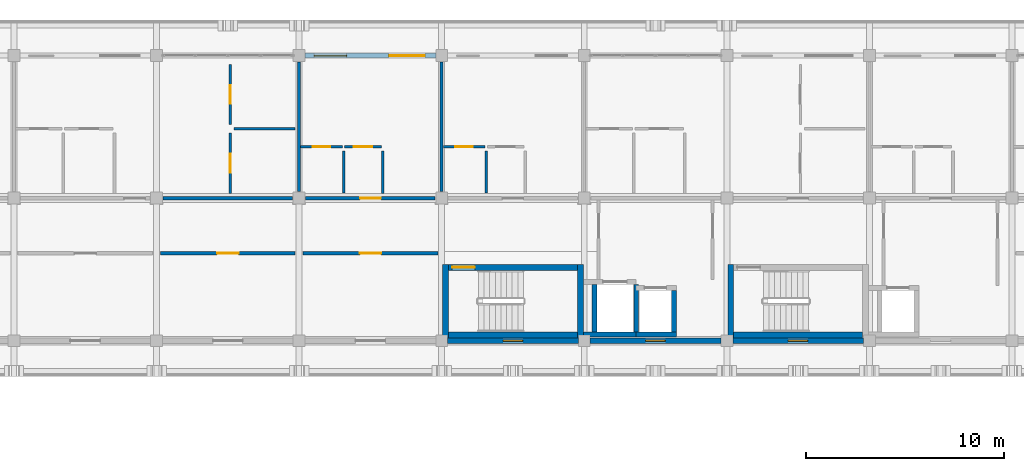
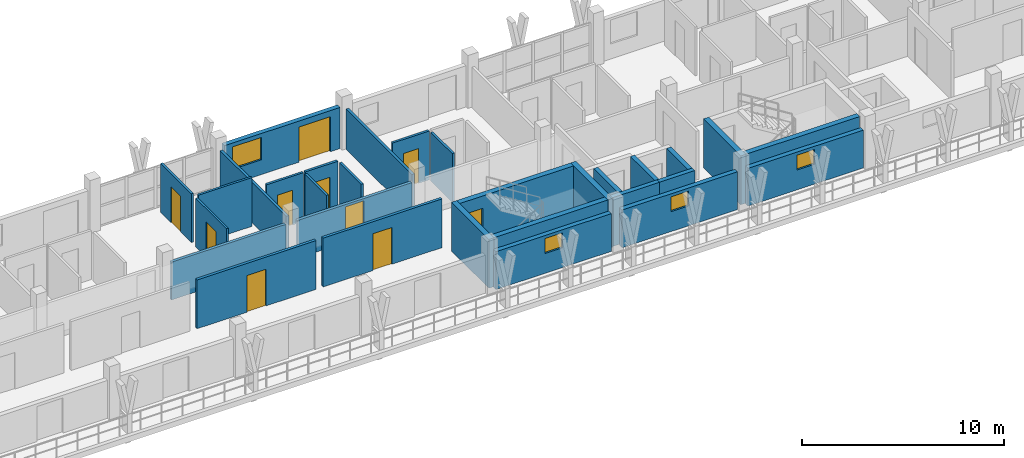
# One storey, part 39 of 65: 30 walls, 10 doors, 4 windows, 14 openings.
"""IFC4 building model written with IfcOpenShell, lengths in metres."""

from ifc_helpers import new_model, si_unit, direction, frame, frame_2d, origin, place, context, subcontext, project, spatial, rectangle, extrude, material, layer, layer_set, type_object, element, fill, save


model = new_model("IFC4")

# Units and contexts
model_context = context("Model", 3, precision=1e-05, world=origin(), true_north=direction((0.0, 1.0)))
body_context = subcontext(model_context, "Body", "Model", "MODEL_VIEW")
ifc_project = project(units=[si_unit("LENGTHUNIT", "METRE"), si_unit("AREAUNIT", "SQUARE_METRE"), si_unit("VOLUMEUNIT", "CUBIC_METRE"), si_unit("PLANEANGLEUNIT", "RADIAN"), si_unit("MASSUNIT", "GRAM", prefix="KILO")], contexts=[model_context])

# Site, building, storey
site_placement = place(None, origin())
site = spatial("IfcSite", under=ifc_project, at=site_placement, CompositionType="ELEMENT")
building_placement = place(site_placement, origin())
building = spatial("IfcBuilding", under=site, at=building_placement, Name="Suanplinth Sawtooth Commons", CompositionType="ELEMENT")
storey_placement = place(building_placement, frame((0.0, 0.0, 28.300048828125)))
storey = spatial("IfcBuildingStorey", under=building, at=storey_placement, Name="L08", CompositionType="ELEMENT", Elevation=28.300048828125)

# Wall
ifc_material_1 = material(Name="Concrete C40/50", Category="concrete")
ifc_layer_1 = layer(ifc_material_1, 0.300048828125, Name="Standard RC stair and lift core wall 300mm")
ifc_layer_set_1 = layer_set([ifc_layer_1], Name="Concrete C40/50")
wall_type_1 = type_object("IfcWallType", Name="W-CR02", PredefinedType="SHEAR", material=ifc_layer_set_1)
wall_1_placement = place(storey_placement, frame((43.550048828125, 108.300048828125, 0.0), z_axis=(0.0, 0.0, 1.0), x_axis=(1.0, 0.0, 0.0)))
element("IfcWall", 1, at=wall_1_placement, inside=storey, type_object=wall_type_1, Name="W-L08-C-A1-STS", PredefinedType="SHEAR", context=body_context, shape_type="SweptSolid", body=[
    extrude(rectangle(XDim=6.5, YDim=0.300048828125, at=frame_2d((3.25, 0.0))), origin(), (0.0, 0.0, 1.0), 2.949951171875),
])

# Wall, opening, door
wall_2_placement = place(storey_placement, frame((43.550048828125, 111.699951171875, 0.0), z_axis=(0.0, 0.0, 1.0), x_axis=(1.0, 0.0, 0.0)))
wall_2 = element("IfcWall", 2, at=wall_2_placement, inside=storey, type_object=wall_type_1, Name="W-L08-C-A1-STN", PredefinedType="SHEAR", context=body_context, shape_type="SweptSolid", body=[
    extrude(rectangle(XDim=6.5, YDim=0.300048828125, at=frame_2d((3.25, 0.0))), origin(), (0.0, 0.0, 1.0), 2.949951171875),
])
opening_1_placement = place(wall_2_placement, frame((0.179931640625, 0.0, 0.0)))
opening_1 = element("IfcOpeningElement", 3, at=opening_1_placement, cuts=wall_2, Name="Opening FD0046", PredefinedType="OPENING", context=body_context, shape_type="SweptSolid", body=[
    extrude(rectangle(XDim=1.14990234375, YDim=2.199951171875, at=frame_2d((0.574951171875, 1.10009765625))), frame((0.0, 0.1650390625, 0.0), z_axis=(0.0, -1.0, 0.0), x_axis=(1.0, 0.0, 0.0)), (0.0, 0.0, 1.0), 0.329833984375),
])
ifc_material_2 = material(Name="Teak hardwood fire-rated door assembly", Category="wood")
door_type_1 = type_object("IfcDoorType", Name="FD-01", OperationType="NOTDEFINED", PredefinedType="DOOR", material=ifc_material_2)
door_1_placement = place(opening_1_placement, frame((1.14990234375, 0.0, 0.0), z_axis=(0.0, 0.0, 1.0), x_axis=(-1.0, 0.0, 0.0)))
door_1 = element("IfcDoor", 4, at=door_1_placement, inside=storey, type_object=door_type_1, Name="Exit Stair Fire Door FD0046", OperationType="SINGLE_SWING_LEFT", OverallHeight=2.199951171875, OverallWidth=1.14990234375, PredefinedType="DOOR", context=body_context, shape_type="SweptSolid", body=[
    extrude(rectangle(XDim=1.14990234375, YDim=2.199951171875, at=frame_2d((0.574951171875, 1.10009765625))), frame((0.0, 0.02490234375, 0.0), z_axis=(0.0, -1.0, 0.0), x_axis=(1.0, 0.0, 0.0)), (0.0, 0.0, 1.0), 0.050048828125),
])
fill(opening_1, door_1)

# Walls
for number, where, z_axis, x_axis, name in (
    (5, (43.39990234375, 108.14990234375, 0.0), (0.0, 0.0, 1.0), (0.0, 1.0, 0.0), "W-L08-C-A1-STW"),
    (6, (50.199951171875, 108.14990234375, 0.0), (0.0, 0.0, 1.0), (0.0, 1.0, 0.0), "W-L08-C-A1-STE"),
):
    element("IfcWall", number, at=place(storey_placement, frame(where, z_axis=z_axis, x_axis=x_axis)), inside=storey, type_object=wall_type_1, Name=name, PredefinedType="SHEAR", context=body_context, shape_type="SweptSolid", body=[
        extrude(rectangle(XDim=3.7001953125, YDim=0.300048828125, at=frame_2d((1.85009765625, 0.0))), origin(), (0.0, 0.0, 1.0), 2.949951171875),
    ])
wall_3_placement = place(storey_placement, frame((57.949951171875, 108.300048828125, 0.0), z_axis=(0.0, 0.0, 1.0), x_axis=(1.0, 0.0, 0.0)))
element("IfcWall", 7, at=wall_3_placement, inside=storey, type_object=wall_type_1, Name="W-L08-C-A2-STS", PredefinedType="SHEAR", context=body_context, shape_type="SweptSolid", body=[
    extrude(rectangle(XDim=6.5, YDim=0.300048828125, at=frame_2d((3.25, 0.0))), origin(), (0.0, 0.0, 1.0), 2.949951171875),
])
wall_4_placement = place(storey_placement, frame((57.800048828125, 108.14990234375, 0.0), z_axis=(0.0, 0.0, 1.0), x_axis=(0.0, 1.0, 0.0)))
element("IfcWall", 8, at=wall_4_placement, inside=storey, type_object=wall_type_1, Name="W-L08-C-A2-STW", PredefinedType="SHEAR", context=body_context, shape_type="SweptSolid", body=[
    extrude(rectangle(XDim=3.7001953125, YDim=0.300048828125, at=frame_2d((1.85009765625, 0.0))), origin(), (0.0, 0.0, 1.0), 2.949951171875),
])

# Wall, openings, door, window
ifc_material_3 = material(Name="Precast concrete C40/50", Category="concrete")
ifc_layer_2 = layer(ifc_material_3, 0.260009765625, Name="Insulated precast courtyard facade wall 260mm")
ifc_layer_set_2 = layer_set([ifc_layer_2], Name="Precast concrete C40/50")
wall_type_2 = type_object("IfcWallType", Name="W-EX02", PredefinedType="ELEMENTEDWALL", material=ifc_layer_set_2)
wall_5_placement = place(storey_placement, frame((36.300048828125, 122.39990234375, 0.0), z_axis=(0.0, 0.0, 1.0), x_axis=(1.0, 0.0, 0.0)))
wall_5 = element("IfcWall", 9, at=wall_5_placement, inside=storey, type_object=wall_type_2, Name="Facade Wall W-L08-A-N-3", PredefinedType="ELEMENTEDWALL", context=body_context, shape_type="SweptSolid", body=[
    extrude(rectangle(XDim=6.599853515625, YDim=0.260009765625, at=frame_2d((3.2998046875, 0.0))), origin(), (0.0, 0.0, 1.0), 2.48486328125),
])
opening_2_placement = place(wall_5_placement, frame((4.25, 0.0, 0.0)))
opening_2 = element("IfcOpeningElement", 10, at=opening_2_placement, cuts=wall_5, Name="Opening ED0628", PredefinedType="OPENING", context=body_context, shape_type="SweptSolid", body=[
    extrude(rectangle(XDim=1.800048828125, YDim=2.1201171875, at=frame_2d((0.89990234375, 1.06005859375))), frame((0.0, 0.14501953125, 0.0), z_axis=(0.0, -1.0, 0.0), x_axis=(1.0, 0.0, 0.0)), (0.0, 0.0, 1.0), 0.289794921875),
])
opening_3_placement = place(wall_5_placement, frame((0.449951171875, 0.0, 0.89990234375)))
opening_3 = element("IfcOpeningElement", 11, at=opening_3_placement, cuts=wall_5, Name="Opening W0708", PredefinedType="OPENING", context=body_context, shape_type="SweptSolid", body=[
    extrude(rectangle(XDim=1.64990234375, YDim=1.35009765625, at=frame_2d((0.824951171875, 0.675048828125))), frame((0.0, 0.14501953125, 0.0), z_axis=(0.0, -1.0, 0.0), x_axis=(1.0, 0.0, 0.0)), (0.0, 0.0, 1.0), 0.289794921875),
])
ifc_material_4 = material(Name="Anodized aluminium and low-E glass", Category="aluminium")
door_type_2 = type_object("IfcDoorType", Name="SD-01", OperationType="SLIDING_TO_LEFT", PredefinedType="DOOR", material=ifc_material_4)
door_2_placement = place(opening_2_placement, frame((1.800048828125, 0.0, 0.0), z_axis=(0.0, 0.0, 1.0), x_axis=(-1.0, 0.0, 0.0)))
door_2 = element("IfcDoor", 12, at=door_2_placement, inside=storey, type_object=door_type_2, Name="Balcony Sliding Door L08-A-N-3", OperationType="SLIDING_TO_LEFT", OverallHeight=2.1201171875, OverallWidth=1.800048828125, PredefinedType="DOOR", context=body_context, shape_type="SweptSolid", body=[
    extrude(rectangle(XDim=1.800048828125, YDim=2.1201171875, at=frame_2d((0.89990234375, 1.06005859375))), frame((0.0, 0.02490234375, 0.0), z_axis=(0.0, -1.0, 0.0), x_axis=(1.0, 0.0, 0.0)), (0.0, 0.0, 1.0), 0.050048828125),
])
fill(opening_2, door_2)
ifc_material_5 = material(Name="Thermally broken aluminium and low-E double glazing", Category="aluminium")
window_type_1 = type_object("IfcWindowType", Name="WN-19", PartitioningType="DOUBLE_PANEL_VERTICAL", PredefinedType="WINDOW", material=ifc_material_5)
window_1_placement = place(opening_3_placement, origin())
window_1 = element("IfcWindow", 13, at=window_1_placement, inside=storey, type_object=window_type_1, Name="Window L08-A-N-3", OverallHeight=1.35009765625, OverallWidth=1.64990234375, PartitioningType="DOUBLE_PANEL_VERTICAL", PredefinedType="WINDOW", context=body_context, shape_type="SweptSolid", body=[
    extrude(rectangle(XDim=1.64990234375, YDim=1.35009765625, at=frame_2d((0.824951171875, 0.675048828125))), frame((0.0, 0.030029296875, 0.0), z_axis=(0.0, -1.0, 0.0), x_axis=(1.0, 0.0, 0.0)), (0.0, 0.0, 1.0), 0.06005859375),
])
fill(opening_3, window_1)

# Wall, opening, window
wall_6_placement = place(storey_placement, frame((43.5, 108.0, 0.0), z_axis=(0.0, 0.0, 1.0), x_axis=(1.0, 0.0, 0.0)))
wall_6 = element("IfcWall", 14, at=wall_6_placement, inside=storey, type_object=wall_type_2, Name="Courtyard Wall W-L08-A-S-4", PredefinedType="ELEMENTEDWALL", context=body_context, shape_type="SweptSolid", body=[
    extrude(rectangle(XDim=6.60009765625, YDim=0.260009765625, at=frame_2d((3.300048828125, 0.0))), origin(), (0.0, 0.0, 1.0), 2.284912109375),
])
opening_4_placement = place(wall_6_placement, frame((2.800048828125, 0.0, 1.199951171875)))
opening_4 = element("IfcOpeningElement", 15, at=opening_4_placement, cuts=wall_6, Name="Opening W0710", PredefinedType="OPENING", context=body_context, shape_type="SweptSolid", body=[
    extrude(rectangle(XDim=1.0, YDim=0.89990234375, at=frame_2d((0.5, 0.449951171875))), frame((0.0, 0.14501953125, 0.0), z_axis=(0.0, -1.0, 0.0), x_axis=(1.0, 0.0, 0.0)), (0.0, 0.0, 1.0), 0.289794921875),
])
window_type_2 = type_object("IfcWindowType", Name="WN-12", PartitioningType="SINGLE_PANEL", PredefinedType="WINDOW", material=ifc_material_5)
window_2_placement = place(opening_4_placement, origin())
window_2 = element("IfcWindow", 16, at=window_2_placement, inside=storey, type_object=window_type_2, Name="Core Daylight Window L08-A-4", OverallHeight=0.89990234375, OverallWidth=1.0, PartitioningType="SINGLE_PANEL", PredefinedType="WINDOW", context=body_context, shape_type="SweptSolid", body=[
    extrude(rectangle(XDim=1.0, YDim=0.89990234375, at=frame_2d((0.5, 0.449951171875))), frame((0.0, 0.030029296875, 0.0), z_axis=(0.0, -1.0, 0.0), x_axis=(1.0, 0.0, 0.0)), (0.0, 0.0, 1.0), 0.06005859375),
])
fill(opening_4, window_2)

wall_7_placement = place(storey_placement, frame((50.699951171875, 108.0, 0.0), z_axis=(0.0, 0.0, 1.0), x_axis=(1.0, 0.0, 0.0)))
wall_7 = element("IfcWall", 17, at=wall_7_placement, inside=storey, type_object=wall_type_2, Name="Courtyard Wall W-L08-A-S-5", PredefinedType="ELEMENTEDWALL", context=body_context, shape_type="SweptSolid", body=[
    extrude(rectangle(XDim=6.60009765625, YDim=0.260009765625, at=frame_2d((3.300048828125, 0.0))), origin(), (0.0, 0.0, 1.0), 2.284912109375),
])
opening_5_placement = place(wall_7_placement, frame((2.800048828125, 0.0, 1.199951171875)))
opening_5 = element("IfcOpeningElement", 18, at=opening_5_placement, cuts=wall_7, Name="Opening W0711", PredefinedType="OPENING", context=body_context, shape_type="SweptSolid", body=[
    extrude(rectangle(XDim=1.0, YDim=0.89990234375, at=frame_2d((0.5, 0.449951171875))), frame((0.0, 0.14501953125, 0.0), z_axis=(0.0, -1.0, 0.0), x_axis=(1.0, 0.0, 0.0)), (0.0, 0.0, 1.0), 0.289794921875),
])
window_3_placement = place(opening_5_placement, origin())
window_3 = element("IfcWindow", 19, at=window_3_placement, inside=storey, type_object=window_type_2, Name="Core Daylight Window L08-A-5", OverallHeight=0.89990234375, OverallWidth=1.0, PartitioningType="SINGLE_PANEL", PredefinedType="WINDOW", context=body_context, shape_type="SweptSolid", body=[
    extrude(rectangle(XDim=1.0, YDim=0.89990234375, at=frame_2d((0.5, 0.449951171875))), frame((0.0, 0.030029296875, 0.0), z_axis=(0.0, -1.0, 0.0), x_axis=(1.0, 0.0, 0.0)), (0.0, 0.0, 1.0), 0.06005859375),
])
fill(opening_5, window_3)

wall_8_placement = place(storey_placement, frame((57.89990234375, 108.0, 0.0), z_axis=(0.0, 0.0, 1.0), x_axis=(1.0, 0.0, 0.0)))
wall_8 = element("IfcWall", 20, at=wall_8_placement, inside=storey, type_object=wall_type_2, Name="Courtyard Wall W-L08-A-S-6", PredefinedType="ELEMENTEDWALL", context=body_context, shape_type="SweptSolid", body=[
    extrude(rectangle(XDim=6.60009765625, YDim=0.260009765625, at=frame_2d((3.300048828125, 0.0))), origin(), (0.0, 0.0, 1.0), 2.284912109375),
])
opening_6_placement = place(wall_8_placement, frame((2.800048828125, 0.0, 1.199951171875)))
opening_6 = element("IfcOpeningElement", 21, at=opening_6_placement, cuts=wall_8, Name="Opening W0713", PredefinedType="OPENING", context=body_context, shape_type="SweptSolid", body=[
    extrude(rectangle(XDim=1.0, YDim=0.89990234375, at=frame_2d((0.5, 0.449951171875))), frame((0.0, 0.14501953125, 0.0), z_axis=(0.0, -1.0, 0.0), x_axis=(1.0, 0.0, 0.0)), (0.0, 0.0, 1.0), 0.289794921875),
])
window_4_placement = place(opening_6_placement, origin())
window_4 = element("IfcWindow", 22, at=window_4_placement, inside=storey, type_object=window_type_2, Name="Core Daylight Window L08-A-6", OverallHeight=0.89990234375, OverallWidth=1.0, PartitioningType="SINGLE_PANEL", PredefinedType="WINDOW", context=body_context, shape_type="SweptSolid", body=[
    extrude(rectangle(XDim=1.0, YDim=0.89990234375, at=frame_2d((0.5, 0.449951171875))), frame((0.0, 0.030029296875, 0.0), z_axis=(0.0, -1.0, 0.0), x_axis=(1.0, 0.0, 0.0)), (0.0, 0.0, 1.0), 0.06005859375),
])
fill(opening_6, window_4)

# Wall
ifc_layer_3 = layer(ifc_material_3, 0.159912109375, Name="Fire-rated corridor and lobby wall 160mm")
ifc_layer_set_3 = layer_set([ifc_layer_3], Name="Precast concrete C40/50")
wall_type_3 = type_object("IfcWallType", Name="W-FW01", PredefinedType="PARTITIONING", material=ifc_layer_set_3)
wall_9_placement = place(storey_placement, frame((29.1298828125, 115.199951171875, 0.0), z_axis=(0.0, 0.0, 1.0), x_axis=(1.0, 0.0, 0.0)))
element("IfcWall", 23, at=wall_9_placement, inside=storey, type_object=wall_type_3, Name="W-A-L08-U02-COR-S2", PredefinedType="PARTITIONING", context=body_context, shape_type="SweptSolid", body=[
    extrude(rectangle(XDim=6.5400390625, YDim=0.159912109375, at=frame_2d((3.27001953125, 0.0))), origin(), (0.0, 0.0, 1.0), 2.284912109375),
])

# Wall, opening, door
wall_10_placement = place(storey_placement, frame((36.330078125, 115.199951171875, 0.0), z_axis=(0.0, 0.0, 1.0), x_axis=(1.0, 0.0, 0.0)))
wall_10 = element("IfcWall", 24, at=wall_10_placement, inside=storey, type_object=wall_type_3, Name="W-A-L08-U03-COR", PredefinedType="PARTITIONING", context=body_context, shape_type="SweptSolid", body=[
    extrude(rectangle(XDim=6.5400390625, YDim=0.159912109375, at=frame_2d((3.27001953125, 0.0))), origin(), (0.0, 0.0, 1.0), 2.284912109375),
])
opening_7_placement = place(wall_10_placement, frame((2.7451171875, 0.0, 0.0)))
opening_7 = element("IfcOpeningElement", 25, at=opening_7_placement, cuts=wall_10, Name="Opening FD1636", PredefinedType="OPENING", context=body_context, shape_type="SweptSolid", body=[
    extrude(rectangle(XDim=1.050048828125, YDim=2.14990234375, at=frame_2d((0.52490234375, 1.074951171875))), frame((0.0, 0.0947265625, 0.0), z_axis=(0.0, -1.0, 0.0), x_axis=(1.0, 0.0, 0.0)), (0.0, 0.0, 1.0), 0.189697265625),
])
door_type_3 = type_object("IfcDoorType", Name="FD-04", OperationType="NOTDEFINED", PredefinedType="DOOR", material=ifc_material_2)
door_3_placement = place(opening_7_placement, origin())
door_3 = element("IfcDoor", 26, at=door_3_placement, inside=storey, type_object=door_type_3, Name="Unit Entrance Door FD1636", OperationType="SINGLE_SWING_RIGHT", OverallHeight=2.14990234375, OverallWidth=1.050048828125, PredefinedType="DOOR", context=body_context, shape_type="SweptSolid", body=[
    extrude(rectangle(XDim=1.050048828125, YDim=2.14990234375, at=frame_2d((0.52490234375, 1.074951171875))), frame((0.0, 0.02490234375, 0.0), z_axis=(0.0, -1.0, 0.0), x_axis=(1.0, 0.0, 0.0)), (0.0, 0.0, 1.0), 0.050048828125),
])
fill(opening_7, door_3)

wall_11_placement = place(storey_placement, frame((29.0, 112.419921875, 0.0), z_axis=(0.0, 0.0, 1.0), x_axis=(1.0, 0.0, 0.0)))
wall_11 = element("IfcWall", 27, at=wall_11_placement, inside=storey, type_object=wall_type_3, Name="W-A-L08-COURTROOM-11-COR", PredefinedType="PARTITIONING", context=body_context, shape_type="SweptSolid", body=[
    extrude(rectangle(XDim=6.800048828125, YDim=0.159912109375, at=frame_2d((3.39990234375, 0.0))), origin(), (0.0, 0.0, 1.0), 2.949951171875),
])
opening_8_placement = place(wall_11_placement, frame((2.860107421875, 0.0, 0.0)))
opening_8 = element("IfcOpeningElement", 28, at=opening_8_placement, cuts=wall_11, Name="Opening D1663", PredefinedType="OPENING", context=body_context, shape_type="SweptSolid", body=[
    extrude(rectangle(XDim=1.080078125, YDim=2.219970703125, at=frame_2d((0.5400390625, 1.10986328125))), frame((0.0, 0.0947265625, 0.0), z_axis=(0.0, -1.0, 0.0), x_axis=(1.0, 0.0, 0.0)), (0.0, 0.0, 1.0), 0.189697265625),
])
ifc_material_6 = material(Name="Teak hardwood", Category="wood")
door_type_4 = type_object("IfcDoorType", Name="D-17", OperationType="NOTDEFINED", PredefinedType="DOOR", material=ifc_material_6)
door_4_placement = place(opening_8_placement, frame((1.080078125, 0.0, 0.0), z_axis=(0.0, 0.0, 1.0), x_axis=(-1.0, 0.0, 0.0)))
door_4 = element("IfcDoor", 29, at=door_4_placement, inside=storey, type_object=door_type_4, Name="Study Studio Door D1663", OperationType="SINGLE_SWING_LEFT", OverallHeight=2.219970703125, OverallWidth=1.080078125, PredefinedType="DOOR", context=body_context, shape_type="SweptSolid", body=[
    extrude(rectangle(XDim=1.080078125, YDim=2.219970703125, at=frame_2d((0.5400390625, 1.10986328125))), frame((0.0, 0.02490234375, 0.0), z_axis=(0.0, -1.0, 0.0), x_axis=(1.0, 0.0, 0.0)), (0.0, 0.0, 1.0), 0.050048828125),
])
fill(opening_8, door_4)

wall_12_placement = place(storey_placement, frame((36.199951171875, 112.419921875, 0.0), z_axis=(0.0, 0.0, 1.0), x_axis=(1.0, 0.0, 0.0)))
wall_12 = element("IfcWall", 30, at=wall_12_placement, inside=storey, type_object=wall_type_3, Name="W-A-L08-COURTROOM-12-COR", PredefinedType="PARTITIONING", context=body_context, shape_type="SweptSolid", body=[
    extrude(rectangle(XDim=6.800048828125, YDim=0.159912109375, at=frame_2d((3.39990234375, 0.0))), origin(), (0.0, 0.0, 1.0), 2.949951171875),
])
opening_9_placement = place(wall_12_placement, frame((2.860107421875, 0.0, 0.0)))
opening_9 = element("IfcOpeningElement", 31, at=opening_9_placement, cuts=wall_12, Name="Opening D1664", PredefinedType="OPENING", context=body_context, shape_type="SweptSolid", body=[
    extrude(rectangle(XDim=1.080078125, YDim=2.219970703125, at=frame_2d((0.5400390625, 1.10986328125))), frame((0.0, 0.0947265625, 0.0), z_axis=(0.0, -1.0, 0.0), x_axis=(1.0, 0.0, 0.0)), (0.0, 0.0, 1.0), 0.189697265625),
])
door_5_placement = place(opening_9_placement, frame((1.080078125, 0.0, 0.0), z_axis=(0.0, 0.0, 1.0), x_axis=(-1.0, 0.0, 0.0)))
door_5 = element("IfcDoor", 32, at=door_5_placement, inside=storey, type_object=door_type_4, Name="Study Studio Door D1664", OperationType="SINGLE_SWING_RIGHT", OverallHeight=2.219970703125, OverallWidth=1.080078125, PredefinedType="DOOR", context=body_context, shape_type="SweptSolid", body=[
    extrude(rectangle(XDim=1.080078125, YDim=2.219970703125, at=frame_2d((0.5400390625, 1.10986328125))), frame((0.0, 0.02490234375, 0.0), z_axis=(0.0, -1.0, 0.0), x_axis=(1.0, 0.0, 0.0)), (0.0, 0.0, 1.0), 0.050048828125),
])
fill(opening_9, door_5)

# Walls
ifc_layer_4 = layer(ifc_material_3, 0.14990234375, Name="Acoustic precast party demising wall 150mm")
ifc_layer_set_4 = layer_set([ifc_layer_4], Name="Precast concrete C40/50")
wall_type_4 = type_object("IfcWallType", Name="W-FW02", PredefinedType="PARTITIONING", material=ifc_layer_set_4)
for number, where, z_axis, x_axis, name in (
    (33, (36.0, 115.530029296875, 0.0), (0.0, 0.0, 1.0), (0.0, 1.0, 0.0), "W-A-L08-U02-PTY"),
    (34, (43.199951171875, 115.530029296875, 0.0), (0.0, 0.0, 1.0), (0.0, 1.0, 0.0), "W-A-L08-U03-PTY"),
):
    element("IfcWall", number, at=place(storey_placement, frame(where, z_axis=z_axis, x_axis=x_axis)), inside=storey, type_object=wall_type_4, Name=name, PredefinedType="PARTITIONING", context=body_context, shape_type="SweptSolid", body=[
        extrude(rectangle(XDim=6.5400390625, YDim=0.14990234375, at=frame_2d((3.27001953125, 0.0))), origin(), (0.0, 0.0, 1.0), 2.43505859375),
    ])

# Wall, opening, door
ifc_material_7 = material(Name="Gypsum plasterboard on steel stud", Category="steel")
ifc_layer_5 = layer(ifc_material_7, 0.139892578125, Name="Fire-rated kitchen partition 140mm")
ifc_layer_set_5 = layer_set([ifc_layer_5], Name="Gypsum plasterboard on steel stud")
wall_type_5 = type_object("IfcWallType", Name="W-PT01", PredefinedType="PARTITIONING", material=ifc_layer_set_5)
wall_13_placement = place(storey_placement, frame((38.300048828125, 117.800048828125, 0.0), z_axis=(0.0, 0.0, 1.0), x_axis=(1.0, 0.0, 0.0)))
wall_13 = element("IfcWall", 35, at=wall_13_placement, inside=storey, type_object=wall_type_5, Name="W-A-L08-U03-KIT1", PredefinedType="PARTITIONING", context=body_context, shape_type="SweptSolid", body=[
    extrude(rectangle(XDim=1.849853515625, YDim=0.139892578125, at=frame_2d((0.9248046875, 0.0))), origin(), (0.0, 0.0, 1.0), 2.949951171875),
])
opening_10_placement = place(wall_13_placement, frame((0.4599609375, 0.0, 0.0)))
opening_10 = element("IfcOpeningElement", 36, at=opening_10_placement, cuts=wall_13, Name="Opening D1638", PredefinedType="OPENING", context=body_context, shape_type="SweptSolid", body=[
    extrude(rectangle(XDim=0.929931640625, YDim=2.139892578125, at=frame_2d((0.46484375, 1.06982421875))), frame((0.0, 0.0849609375, 0.0), z_axis=(0.0, -1.0, 0.0), x_axis=(1.0, 0.0, 0.0)), (0.0, 0.0, 1.0), 0.169677734375),
])
door_type_5 = type_object("IfcDoorType", Name="D-19", OperationType="NOTDEFINED", PredefinedType="DOOR", material=ifc_material_6)
door_6_placement = place(opening_10_placement, frame((0.929931640625, 0.0, 0.0), z_axis=(0.0, 0.0, 1.0), x_axis=(-1.0, 0.0, 0.0)))
door_6 = element("IfcDoor", 37, at=door_6_placement, inside=storey, type_object=door_type_5, Name="Kitchen Door D1638", OperationType="SINGLE_SWING_RIGHT", OverallHeight=2.139892578125, OverallWidth=0.929931640625, PredefinedType="DOOR", context=body_context, shape_type="SweptSolid", body=[
    extrude(rectangle(XDim=0.929931640625, YDim=2.139892578125, at=frame_2d((0.46484375, 1.06982421875))), frame((0.0, 0.02490234375, 0.0), z_axis=(0.0, -1.0, 0.0), x_axis=(1.0, 0.0, 0.0)), (0.0, 0.0, 1.0), 0.050048828125),
])
fill(opening_10, door_6)

# Wall
wall_14_placement = place(storey_placement, frame((40.219970703125, 115.429931640625, 0.0), z_axis=(0.0, 0.0, 1.0), x_axis=(0.0, 1.0, 0.0)))
element("IfcWall", 38, at=wall_14_placement, inside=storey, type_object=wall_type_5, Name="W-A-L08-U03-KIT2", PredefinedType="PARTITIONING", context=body_context, shape_type="SweptSolid", body=[
    extrude(rectangle(XDim=2.150146484375, YDim=0.139892578125, at=frame_2d((1.0751953125, 0.0))), origin(), (0.0, 0.0, 1.0), 2.949951171875),
])

# Wall, opening, door
ifc_layer_6 = layer(ifc_material_7, 0.1298828125, Name="Moisture-resistant bathroom partition 130mm")
ifc_layer_set_6 = layer_set([ifc_layer_6], Name="Gypsum plasterboard on steel stud")
wall_type_6 = type_object("IfcWallType", Name="W-PT02", PredefinedType="PARTITIONING", material=ifc_layer_set_6)
wall_15_placement = place(storey_placement, frame((36.080078125, 117.794921875, 0.0), z_axis=(0.0, 0.0, 1.0), x_axis=(1.0, 0.0, 0.0)))
wall_15 = element("IfcWall", 39, at=wall_15_placement, inside=storey, type_object=wall_type_6, Name="W-A-L08-U03-BTH1", PredefinedType="PARTITIONING", context=body_context, shape_type="SweptSolid", body=[
    extrude(rectangle(XDim=2.099853515625, YDim=0.1298828125, at=frame_2d((1.0498046875, 0.0))), origin(), (0.0, 0.0, 1.0), 2.949951171875),
])
opening_11_placement = place(wall_15_placement, frame((0.610107421875, 0.0, 0.0)))
opening_11 = element("IfcOpeningElement", 40, at=opening_11_placement, cuts=wall_15, Name="Opening D1637", PredefinedType="OPENING", context=body_context, shape_type="SweptSolid", body=[
    extrude(rectangle(XDim=0.8798828125, YDim=2.10009765625, at=frame_2d((0.43994140625, 1.050048828125))), frame((0.0, 0.079833984375, 0.0), z_axis=(0.0, -1.0, 0.0), x_axis=(1.0, 0.0, 0.0)), (0.0, 0.0, 1.0), 0.15966796875),
])
door_type_6 = type_object("IfcDoorType", Name="D-14", OperationType="NOTDEFINED", PredefinedType="DOOR", material=ifc_material_6)
door_7_placement = place(opening_11_placement, frame((0.8798828125, 0.0, 0.0), z_axis=(0.0, 0.0, 1.0), x_axis=(-1.0, 0.0, 0.0)))
door_7 = element("IfcDoor", 41, at=door_7_placement, inside=storey, type_object=door_type_6, Name="Bathroom Door D1637", OperationType="SINGLE_SWING_LEFT", OverallHeight=2.10009765625, OverallWidth=0.8798828125, PredefinedType="DOOR", context=body_context, shape_type="SweptSolid", body=[
    extrude(rectangle(XDim=0.8798828125, YDim=2.10009765625, at=frame_2d((0.43994140625, 1.050048828125))), frame((0.0, 0.02490234375, 0.0), z_axis=(0.0, -1.0, 0.0), x_axis=(1.0, 0.0, 0.0)), (0.0, 0.0, 1.0), 0.050048828125),
])
fill(opening_11, door_7)

# Wall
wall_16_placement = place(storey_placement, frame((38.2451171875, 115.4599609375, 0.0), z_axis=(0.0, 0.0, 1.0), x_axis=(0.0, 1.0, 0.0)))
element("IfcWall", 42, at=wall_16_placement, inside=storey, type_object=wall_type_6, Name="W-A-L08-U03-BTH2", PredefinedType="PARTITIONING", context=body_context, shape_type="SweptSolid", body=[
    extrude(rectangle(XDim=2.130126953125, YDim=0.1298828125, at=frame_2d((1.06494140625, 0.0))), origin(), (0.0, 0.0, 1.0), 2.949951171875),
])

# Wall, opening, door
wall_17_placement = place(storey_placement, frame((43.280029296875, 117.794921875, 0.0), z_axis=(0.0, 0.0, 1.0), x_axis=(1.0, 0.0, 0.0)))
wall_17 = element("IfcWall", 43, at=wall_17_placement, inside=storey, type_object=wall_type_6, Name="W-A-L08-U04-BTH1", PredefinedType="PARTITIONING", context=body_context, shape_type="SweptSolid", body=[
    extrude(rectangle(XDim=2.099853515625, YDim=0.1298828125, at=frame_2d((1.0498046875, 0.0))), origin(), (0.0, 0.0, 1.0), 2.949951171875),
])
opening_12_placement = place(wall_17_placement, frame((0.610107421875, 0.0, 0.0)))
opening_12 = element("IfcOpeningElement", 44, at=opening_12_placement, cuts=wall_17, Name="Opening D1640", PredefinedType="OPENING", context=body_context, shape_type="SweptSolid", body=[
    extrude(rectangle(XDim=0.8798828125, YDim=2.10009765625, at=frame_2d((0.43994140625, 1.050048828125))), frame((0.0, 0.079833984375, 0.0), z_axis=(0.0, -1.0, 0.0), x_axis=(1.0, 0.0, 0.0)), (0.0, 0.0, 1.0), 0.15966796875),
])
door_8_placement = place(opening_12_placement, frame((0.8798828125, 0.0, 0.0), z_axis=(0.0, 0.0, 1.0), x_axis=(-1.0, 0.0, 0.0)))
door_8 = element("IfcDoor", 45, at=door_8_placement, inside=storey, type_object=door_type_6, Name="Bathroom Door D1640", OperationType="SINGLE_SWING_RIGHT", OverallHeight=2.10009765625, OverallWidth=0.8798828125, PredefinedType="DOOR", context=body_context, shape_type="SweptSolid", body=[
    extrude(rectangle(XDim=0.8798828125, YDim=2.10009765625, at=frame_2d((0.43994140625, 1.050048828125))), frame((0.0, 0.02490234375, 0.0), z_axis=(0.0, -1.0, 0.0), x_axis=(1.0, 0.0, 0.0)), (0.0, 0.0, 1.0), 0.050048828125),
])
fill(opening_12, door_8)

# Wall
wall_18_placement = place(storey_placement, frame((45.445068359375, 115.4599609375, 0.0), z_axis=(0.0, 0.0, 1.0), x_axis=(0.0, 1.0, 0.0)))
element("IfcWall", 46, at=wall_18_placement, inside=storey, type_object=wall_type_6, Name="W-A-L08-U04-BTH2", PredefinedType="PARTITIONING", context=body_context, shape_type="SweptSolid", body=[
    extrude(rectangle(XDim=2.130126953125, YDim=0.1298828125, at=frame_2d((1.06494140625, 0.0))), origin(), (0.0, 0.0, 1.0), 2.949951171875),
])

# Wall, opening, door
ifc_layer_7 = layer(ifc_material_7, 0.1201171875, Name="Acoustic bedroom partition 120mm")
ifc_layer_set_7 = layer_set([ifc_layer_7], Name="Gypsum plasterboard on steel stud")
wall_type_7 = type_object("IfcWallType", Name="W-PT03", PredefinedType="PARTITIONING", material=ifc_layer_set_7)
wall_19_placement = place(storey_placement, frame((32.52001953125, 118.919921875, 0.0), z_axis=(0.0, 0.0, 1.0), x_axis=(0.0, 1.0, 0.0)))
wall_19 = element("IfcWall", 47, at=wall_19_placement, inside=storey, type_object=wall_type_7, Name="W-A-L08-U02-BED1", PredefinedType="PARTITIONING", context=body_context, shape_type="SweptSolid", body=[
    extrude(rectangle(XDim=3.0400390625, YDim=0.1201171875, at=frame_2d((1.52001953125, 0.0))), origin(), (0.0, 0.0, 1.0), 2.949951171875),
])
opening_13_placement = place(wall_19_placement, frame((1.044921875, 0.0, 0.0)))
opening_13 = element("IfcOpeningElement", 48, at=opening_13_placement, cuts=wall_19, Name="Opening D1634", PredefinedType="OPENING", context=body_context, shape_type="SweptSolid", body=[
    extrude(rectangle(XDim=0.949951171875, YDim=2.14990234375, at=frame_2d((0.47509765625, 1.074951171875))), frame((0.0, 0.074951171875, 0.0), z_axis=(0.0, -1.0, 0.0), x_axis=(1.0, 0.0, 0.0)), (0.0, 0.0, 1.0), 0.14990234375),
])
door_type_7 = type_object("IfcDoorType", Name="D-03", OperationType="NOTDEFINED", PredefinedType="DOOR", material=ifc_material_6)
door_9_placement = place(opening_13_placement, frame((0.949951171875, 0.0, 0.0), z_axis=(0.0, 0.0, 1.0), x_axis=(-1.0, 0.0, 0.0)))
door_9 = element("IfcDoor", 49, at=door_9_placement, inside=storey, type_object=door_type_7, Name="Bedroom Door D1634", OperationType="SINGLE_SWING_RIGHT", OverallHeight=2.14990234375, OverallWidth=0.949951171875, PredefinedType="DOOR", context=body_context, shape_type="SweptSolid", body=[
    extrude(rectangle(XDim=0.949951171875, YDim=2.14990234375, at=frame_2d((0.47509765625, 1.074951171875))), frame((0.0, 0.02490234375, 0.0), z_axis=(0.0, -1.0, 0.0), x_axis=(1.0, 0.0, 0.0)), (0.0, 0.0, 1.0), 0.050048828125),
])
fill(opening_13, door_9)

wall_20_placement = place(storey_placement, frame((32.52001953125, 115.43994140625, 0.0), z_axis=(0.0, 0.0, 1.0), x_axis=(0.0, 1.0, 0.0)))
wall_20 = element("IfcWall", 50, at=wall_20_placement, inside=storey, type_object=wall_type_7, Name="W-A-L08-U02-BED2", PredefinedType="PARTITIONING", context=body_context, shape_type="SweptSolid", body=[
    extrude(rectangle(XDim=3.0400390625, YDim=0.1201171875, at=frame_2d((1.52001953125, 0.0))), origin(), (0.0, 0.0, 1.0), 2.949951171875),
])
opening_14_placement = place(wall_20_placement, frame((1.0400390625, 0.0, 0.0)))
opening_14 = element("IfcOpeningElement", 51, at=opening_14_placement, cuts=wall_20, Name="Opening D1635", PredefinedType="OPENING", context=body_context, shape_type="SweptSolid", body=[
    extrude(rectangle(XDim=0.9599609375, YDim=2.14990234375, at=frame_2d((0.47998046875, 1.074951171875))), frame((0.0, 0.074951171875, 0.0), z_axis=(0.0, -1.0, 0.0), x_axis=(1.0, 0.0, 0.0)), (0.0, 0.0, 1.0), 0.14990234375),
])
door_type_8 = type_object("IfcDoorType", Name="D-13", OperationType="NOTDEFINED", PredefinedType="DOOR", material=ifc_material_6)
door_10_placement = place(opening_14_placement, frame((0.9599609375, 0.0, 0.0), z_axis=(0.0, 0.0, 1.0), x_axis=(-1.0, 0.0, 0.0)))
door_10 = element("IfcDoor", 52, at=door_10_placement, inside=storey, type_object=door_type_8, Name="Second Bedroom Door D1635", OperationType="SINGLE_SWING_LEFT", OverallHeight=2.14990234375, OverallWidth=0.9599609375, PredefinedType="DOOR", context=body_context, shape_type="SweptSolid", body=[
    extrude(rectangle(XDim=0.9599609375, YDim=2.14990234375, at=frame_2d((0.47998046875, 1.074951171875))), frame((0.0, 0.02490234375, 0.0), z_axis=(0.0, -1.0, 0.0), x_axis=(1.0, 0.0, 0.0)), (0.0, 0.0, 1.0), 0.050048828125),
])
fill(opening_14, door_10)

# Walls
ifc_layer_8 = layer(ifc_material_7, 0.125, Name="Acoustic study partition 125mm")
ifc_layer_set_8 = layer_set([ifc_layer_8], Name="Gypsum plasterboard on steel stud")
wall_type_8 = type_object("IfcWallType", Name="W-PT06", PredefinedType="PARTITIONING", material=ifc_layer_set_8)
wall_21_placement = place(storey_placement, frame((32.719970703125, 118.699951171875, 0.0), z_axis=(0.0, 0.0, 1.0), x_axis=(1.0, 0.0, 0.0)))
element("IfcWall", 53, at=wall_21_placement, inside=storey, type_object=wall_type_8, Name="W-A-L08-U02-BEDDIV", PredefinedType="PARTITIONING", context=body_context, shape_type="SweptSolid", body=[
    extrude(rectangle(XDim=3.06005859375, YDim=0.125, at=frame_2d((1.530029296875, 0.0))), origin(), (0.0, 0.0, 1.0), 2.949951171875),
])
ifc_layer_9 = layer(ifc_material_3, 0.25, Name="Precast structural shear wall 250mm")
ifc_layer_set_9 = layer_set([ifc_layer_9], Name="Precast concrete C40/50")
wall_type_9 = type_object("IfcWallType", Name="W-SH01", PredefinedType="SHEAR", material=ifc_layer_set_9)
wall_22_placement = place(storey_placement, frame((50.35009765625, 108.324951171875, 0.0), z_axis=(0.0, 0.0, 1.0), x_axis=(1.0, 0.0, 0.0)))
element("IfcWall", 54, at=wall_22_placement, inside=storey, type_object=wall_type_9, Name="W-L08-FL1-S", PredefinedType="SHEAR", context=body_context, shape_type="SweptSolid", body=[
    extrude(rectangle(XDim=2.6748046875, YDim=0.25, at=frame_2d((1.33740234375, 0.0))), origin(), (0.0, 0.0, 1.0), 2.949951171875),
])
for number, where, z_axis, x_axis, name in (
    (55, (50.925048828125, 108.449951171875, 0.0), (0.0, 0.0, 1.0), (0.0, 1.0, 0.0), "W-L08-FL1-W"),
    (56, (53.02490234375, 108.449951171875, 0.0), (0.0, 0.0, 1.0), (0.0, 1.0, 0.0), "W-L08-FL1-DIV"),
):
    element("IfcWall", number, at=place(storey_placement, frame(where, z_axis=z_axis, x_axis=x_axis)), inside=storey, type_object=wall_type_9, Name=name, PredefinedType="SHEAR", context=body_context, shape_type="SweptSolid", body=[
        extrude(rectangle(XDim=2.400146484375, YDim=0.25, at=frame_2d((1.2001953125, 0.0))), origin(), (0.0, 0.0, 1.0), 2.949951171875),
    ])
wall_23_placement = place(storey_placement, frame((53.02490234375, 108.324951171875, 0.0), z_axis=(0.0, 0.0, 1.0), x_axis=(1.0, 0.0, 0.0)))
element("IfcWall", 57, at=wall_23_placement, inside=storey, type_object=wall_type_9, Name="W-L08-LF1-S", PredefinedType="SHEAR", context=body_context, shape_type="SweptSolid", body=[
    extrude(rectangle(XDim=2.025146484375, YDim=0.25, at=frame_2d((1.0126953125, 0.0))), origin(), (0.0, 0.0, 1.0), 2.949951171875),
])
wall_24_placement = place(storey_placement, frame((54.925048828125, 108.449951171875, 0.0), z_axis=(0.0, 0.0, 1.0), x_axis=(0.0, 1.0, 0.0)))
element("IfcWall", 58, at=wall_24_placement, inside=storey, type_object=wall_type_9, Name="W-L08-LF1-E", PredefinedType="SHEAR", context=body_context, shape_type="SweptSolid", body=[
    extrude(rectangle(XDim=2.10009765625, YDim=0.25, at=frame_2d((1.050048828125, 0.0))), origin(), (0.0, 0.0, 1.0), 2.949951171875),
])

save(model, "model.ifc")
